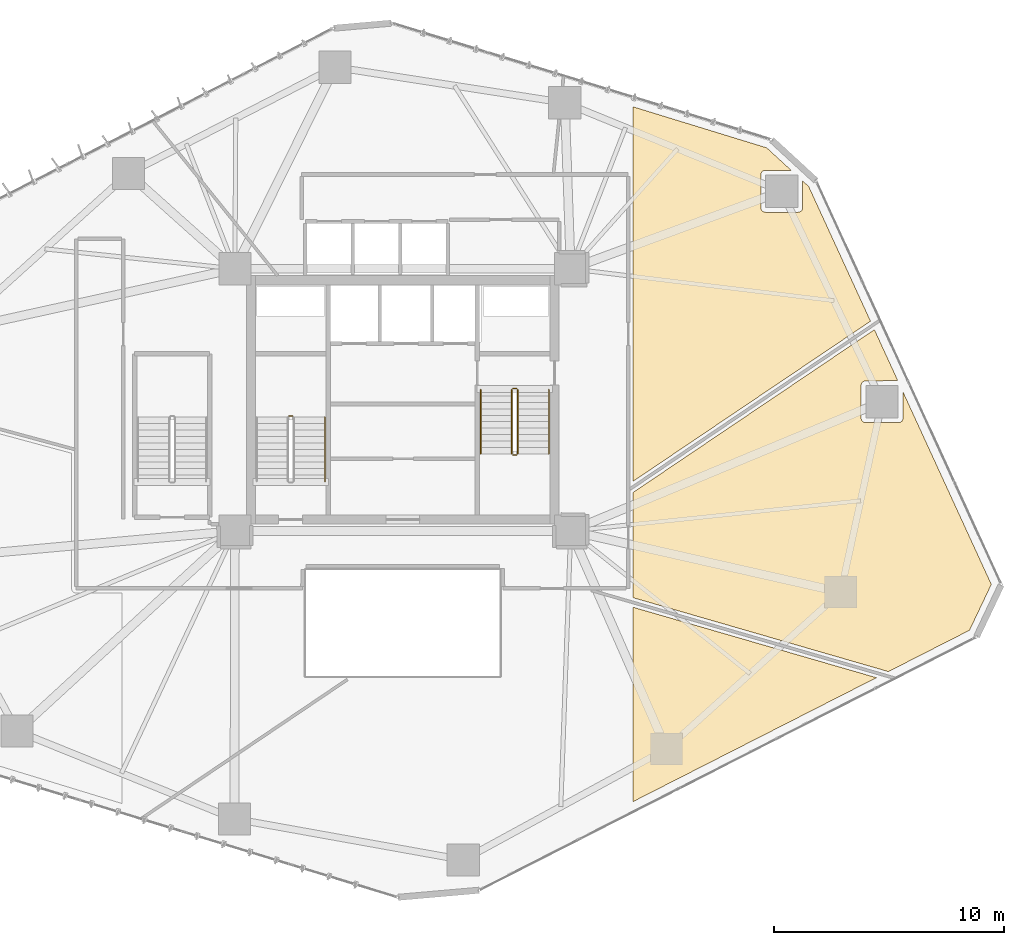
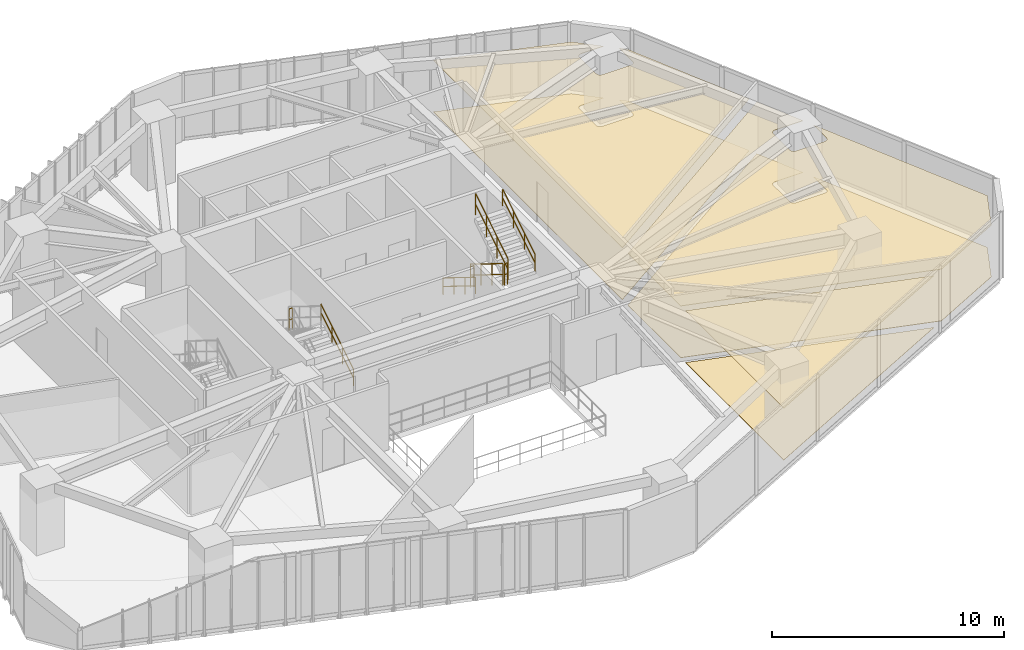
# One storey, part 23 of 24: 8 railings, 6 coverings.
"""IFC4 building model written with IfcOpenShell, lengths in metres."""

import ifcopenshell
import ifcopenshell.guid

model = None  # the IFC model being written
_history = None  # IfcOwnerHistory: only IFC2X3 demands one
_inside = {}  # id of a spatial element -> (the spatial element, [elements in it])
_under = {}  # id of a project, library or spatial element -> (it, [spatial elements below it])
_declared = {}  # id of a project -> (the project, [libraries it declares])
_typed = {}  # id of a type object -> (the type object, [elements of that type])
_made_of = {}  # id of a material, layer set ... -> (it, [elements and type objects made of it])


def new_model(schema):
    """Start an empty IFC model of exactly this schema.

    Asked for "IFC4X3", IfcOpenShell would pick the latest addendum, in which some entities
    have other attributes; the version numbers below select the first issue.
    IFC2X3 requires an IfcOwnerHistory on every rooted entity: one is made here for all.
    """
    global model, _history
    if schema == "IFC4X3":
        model = ifcopenshell.file(schema_version=(4, 3, 0, 0))
    else:
        model = ifcopenshell.file(schema=schema)
    _inside.clear()
    _under.clear()
    _declared.clear()
    _typed.clear()
    _made_of.clear()
    _history = None
    if model.schema == "IFC2X3":
        org = make("IfcOrganization", Name="unknown")
        user = make(
            "IfcPersonAndOrganization",
            ThePerson=make("IfcPerson", FamilyName="unknown"),
            TheOrganization=org,
        )
        app = make(
            "IfcApplication",
            ApplicationDeveloper=org,
            Version="unknown",
            ApplicationFullName="unknown",
            ApplicationIdentifier="unknown",
        )
        _history = make(
            "IfcOwnerHistory",
            OwningUser=user,
            OwningApplication=app,
            ChangeAction="ADDED",
            CreationDate=0,
        )
    return model


def make(cls, **values):
    """One entity of the class cls with the attributes given. An attribute that is None is left unset."""
    return model.create_entity(
        cls, **{name: value for name, value in values.items() if value is not None}
    )


def rooted(cls, **values):
    """An entity with a GlobalId (a new one), such as an element, a storey or a relation."""
    return make(cls, GlobalId=ifcopenshell.guid.new(), OwnerHistory=_history, **values)


def si_unit(unit_type, name, prefix=None):
    """IfcSIUnit, for example si_unit("LENGTHUNIT", "METRE", prefix="MILLI")."""
    return make("IfcSIUnit", UnitType=unit_type, Prefix=prefix, Name=name)


def assignment(units):
    """IfcUnitAssignment: the units of a project."""
    return None if units is None else make("IfcUnitAssignment", Units=units)


def point(xyz):
    """IfcCartesianPoint."""
    return None if xyz is None else make("IfcCartesianPoint", Coordinates=xyz)


def direction(xyz):
    """IfcDirection."""
    return None if xyz is None else make("IfcDirection", DirectionRatios=xyz)


def frame(location, z_axis=None, x_axis=None):
    """IfcAxis2Placement3D, a coordinate frame: its origin and axes. An axis left out is left unset."""
    return make(
        "IfcAxis2Placement3D",
        Location=point(location),
        Axis=direction(z_axis),
        RefDirection=direction(x_axis),
    )


def frame_2d(location, x_axis=None):
    """IfcAxis2Placement2D, a coordinate frame in the plane: its origin and x axis."""
    return make(
        "IfcAxis2Placement2D", Location=point(location), RefDirection=direction(x_axis)
    )


def origin():
    """The frame at (0, 0, 0) with its axes left unset."""
    return frame((0.0, 0.0, 0.0))


def origin_2d():
    """The frame at (0, 0) in the plane with its x axis left unset."""
    return frame_2d((0.0, 0.0))


def place(relative_to, where):
    """IfcLocalPlacement: puts the frame where relative to a parent placement (None: the world)."""
    return make(
        "IfcLocalPlacement", PlacementRelTo=relative_to, RelativePlacement=where
    )


def context(
    kind, dimensions, precision=None, world=None, true_north=None, identifier=None
):
    """IfcGeometricRepresentationContext, for example the 3D "Model" context."""
    return make(
        "IfcGeometricRepresentationContext",
        ContextIdentifier=identifier,
        ContextType=kind,
        CoordinateSpaceDimension=dimensions,
        Precision=precision,
        WorldCoordinateSystem=world,
        TrueNorth=true_north,
    )


def subcontext(parent, identifier, kind, view, scale=None):
    """IfcGeometricRepresentationSubContext, for example "Body" below "Model"."""
    return make(
        "IfcGeometricRepresentationSubContext",
        ContextIdentifier=identifier,
        ContextType=kind,
        ParentContext=parent,
        TargetScale=scale,
        TargetView=view,
    )


def project(units=None, contexts=None):
    """IfcProject with its units and contexts."""
    return rooted(
        "IfcProject",
        Name="project",
        RepresentationContexts=contexts,
        UnitsInContext=assignment(units),
    )


def spatial(cls, under=None, at=None, **own):
    """A site, building, storey or space (cls), placed at a placement, below another one or the project."""
    s = rooted(cls, ObjectPlacement=at, **own)
    if under is not None:
        _under.setdefault(under.id(), (under, []))[1].append(s)
    return s


def polyline(points):
    """IfcPolyline through the points."""
    return make("IfcPolyline", Points=[point(p) for p in points])


def profile(cls, at=None, kind="AREA", **sizes):
    """A parametric profile (cls). Its sizes go by their IFC names, for example OverallWidth=200.0."""
    return make(cls, ProfileType=kind, Position=at, **sizes)


def circle(**sizes):
    """IfcCircleProfileDef."""
    return profile("IfcCircleProfileDef", **sizes)


def outline(outer, holes=None, kind="AREA"):
    """IfcArbitraryClosedProfileDef: a profile drawn as a closed curve; with holes, ...WithVoids."""
    if holes is None:
        return make("IfcArbitraryClosedProfileDef", ProfileType=kind, OuterCurve=outer)
    return make(
        "IfcArbitraryProfileDefWithVoids",
        ProfileType=kind,
        OuterCurve=outer,
        InnerCurves=holes,
    )


def extrude(swept, where, along, depth):
    """IfcExtrudedAreaSolid: the profile swept, set in the frame where, extruded along a direction by depth."""
    return make(
        "IfcExtrudedAreaSolid",
        SweptArea=swept,
        Position=where,
        ExtrudedDirection=direction(along),
        Depth=depth,
    )


def shape(context_of_items, identifier, shape_type, items):
    """IfcShapeRepresentation: the items that make up one representation, for example the "Body"."""
    return make(
        "IfcShapeRepresentation",
        ContextOfItems=context_of_items,
        RepresentationIdentifier=identifier,
        RepresentationType=shape_type,
        Items=items,
    )


def material(Name=None, Category=None):
    """IfcMaterial."""
    return make("IfcMaterial", Name=Name, Category=Category)


def layer(
    of_material, thickness, ventilated=None, Name=None, Category=None, Priority=None
):
    """IfcMaterialLayer: one layer of a wall or slab, of a material (None: an air gap)."""
    return make(
        "IfcMaterialLayer",
        Material=of_material,
        LayerThickness=thickness,
        IsVentilated=ventilated,
        Name=Name,
        Category=Category,
        Priority=Priority,
    )


def layer_set(layers, Name=None):
    """IfcMaterialLayerSet."""
    return make("IfcMaterialLayerSet", MaterialLayers=layers, LayerSetName=Name)


def made_of(thing, what):
    """Note that an element or type object is made of a material, layer set ...; save() writes the relation."""
    if what is not None:
        _made_of.setdefault(what.id(), (what, []))[1].append(thing)
    return thing


def type_object(cls, material=None, **own):
    """A type object (cls), such as IfcWallType, which elements share."""
    return made_of(rooted(cls, **own), material)


def element(
    cls,
    number,
    at=None,
    inside=None,
    cuts=None,
    type_object=None,
    material=None,
    context=None,
    identifier="Body",
    shape_type=None,
    held_by="IfcProductDefinitionShape",
    body=None,
    shapes=None,
    **own,
):
    """One element of the class cls, such as IfcWall. Its Tag is "e" and its number.

    at: its placement. inside: the storey or other place that contains it. cuts: it is an
    opening in that element (IfcRelVoidsElement). A single representation is given by context,
    identifier, shape_type and body (its items); several are given by shapes. held_by: the class
    of the entity that holds the representations. save() writes the other relations.
    """
    e = rooted(cls, Tag="e%d" % number, ObjectPlacement=at, **own)
    if body is not None:
        shapes = [shape(context, identifier, shape_type, body)]
    if shapes is not None:
        e.Representation = make(held_by, Representations=shapes)
    if inside is not None:
        _inside.setdefault(inside.id(), (inside, []))[1].append(e)
    if cuts is not None:
        rooted(
            "IfcRelVoidsElement", RelatingBuildingElement=cuts, RelatedOpeningElement=e
        )
    if type_object is not None:
        _typed.setdefault(type_object.id(), (type_object, []))[1].append(e)
    return made_of(e, material)


def aggregate(whole, parts):
    """IfcRelAggregates: a whole, such as a stair, and the parts it consists of."""
    return rooted("IfcRelAggregates", RelatingObject=whole, RelatedObjects=parts)


def save(model, path):
    """Write the relations noted so far, then the file.

    IfcRelAggregates (storeys below a building ...), IfcRelContainedInSpatialStructure (elements
    in a storey), IfcRelDefinesByType, IfcRelAssociatesMaterial and IfcRelDeclares: one each for
    every whole, place, type object, material and project.
    """
    for whole, parts in _under.values():
        aggregate(whole, parts)
    for where, things in _inside.values():
        rooted(
            "IfcRelContainedInSpatialStructure",
            RelatedElements=things,
            RelatingStructure=where,
        )
    for kind, things in _typed.values():
        rooted("IfcRelDefinesByType", RelatedObjects=things, RelatingType=kind)
    for what, things in _made_of.values():
        rooted("IfcRelAssociatesMaterial", RelatedObjects=things, RelatingMaterial=what)
    for by, libraries in _declared.values():
        rooted("IfcRelDeclares", RelatingContext=by, RelatedDefinitions=libraries)
    model.write(path)


model = new_model("IFC4")

# Units and contexts
model_context = context("Model", 3, precision=1e-05, world=origin(), true_north=direction((0.0, 1.0)))
body_context = subcontext(model_context, "Body", "Model", "MODEL_VIEW")
ifc_project = project(units=[si_unit("LENGTHUNIT", "METRE"), si_unit("AREAUNIT", "SQUARE_METRE"), si_unit("VOLUMEUNIT", "CUBIC_METRE"), si_unit("PLANEANGLEUNIT", "RADIAN"), si_unit("MASSUNIT", "GRAM", prefix="KILO")], contexts=[model_context])

# Site, building, storey
site_placement = place(None, origin())
site = spatial("IfcSite", under=ifc_project, at=site_placement, CompositionType="ELEMENT")
building_placement = place(site_placement, origin())
building = spatial("IfcBuilding", under=site, at=building_placement, Name="Talar Marvaseh", CompositionType="ELEMENT")
storey_placement = place(building_placement, frame((0.0, 0.0, 39.199951171875)))
storey = spatial("IfcBuildingStorey", under=building, at=storey_placement, Name="L09", CompositionType="ELEMENT", Elevation=39.199951171875)

# Railings
ifc_material_1 = material(Name="Stainless Steel Grade 316", Category="steel")
railing_type_1 = type_object("IfcRailingType", Name="Brushed Stainless Wall Pitch Handrail 900", PredefinedType="HANDRAIL", material=ifc_material_1)
railing_1_placement = place(storey_placement, frame((22.610107421875, 27.64990234375, 0.1728515625)))
element("IfcRailing", 1, at=railing_1_placement, inside=storey, type_object=railing_type_1, Name="L09 ST-1 stair handrail 1", PredefinedType="HANDRAIL", context=body_context, shape_type="SweptSolid", body=[
    extrude(circle(Radius=0.02392578125, at=origin_2d()), frame((0.0, 0.0, 0.8759765625), z_axis=(0.0, 0.851089632645, 0.525020415988), x_axis=(-1.0, 0.0, 0.0)), (0.0, 0.0, 1.0), 3.2900390625),
    extrude(circle(Radius=0.02392578125, at=origin_2d()), frame((0.0, 0.0, 0.42578125), z_axis=(0.0, 0.851089632645, 0.525020415988), x_axis=(-1.0, 0.0, 0.0)), (0.0, 0.0, 1.0), 3.2900390625),
    extrude(circle(Radius=0.02099609375, at=origin_2d()), origin(), (0.0, 0.0, 1.0), 0.851806640625),
    extrude(circle(Radius=0.02099609375, at=origin_2d()), frame((0.0, 0.933349609375, 0.57568359375)), (0.0, 0.0, 1.0), 0.851806640625),
    extrude(circle(Radius=0.02099609375, at=origin_2d()), frame((0.0, 1.86669921875, 1.151611328125)), (0.0, 0.0, 1.0), 0.851806640625),
    extrude(circle(Radius=0.02099609375, at=origin_2d()), frame((0.0, 2.800048828125, 1.727294921875)), (0.0, 0.0, 1.0), 0.851806640625),
])
railing_2_placement = place(storey_placement, frame((29.389892578125, 31.64990234375, 0.1728515625)))
element("IfcRailing", 2, at=railing_2_placement, inside=storey, type_object=railing_type_1, Name="L09 ST-2 stair handrail 1", PredefinedType="HANDRAIL", context=body_context, shape_type="SweptSolid", body=[
    extrude(circle(Radius=0.02392578125, at=origin_2d()), frame((0.0, 0.0, 0.8759765625), z_axis=(0.0, -0.851069175582, 0.525053576669), x_axis=(1.0, 0.0, 0.0)), (0.0, 0.0, 1.0), 3.289794921875),
    extrude(circle(Radius=0.02392578125, at=origin_2d()), frame((0.0, 0.0, 0.42578125), z_axis=(0.0, -0.851069175582, 0.525053576669), x_axis=(1.0, 0.0, 0.0)), (0.0, 0.0, 1.0), 3.289794921875),
    extrude(circle(Radius=0.02099609375, at=origin_2d()), origin(), (0.0, 0.0, 1.0), 0.851806640625),
    extrude(circle(Radius=0.02099609375, at=origin_2d()), frame((0.0, -0.933349609375, 0.57568359375)), (0.0, 0.0, 1.0), 0.851806640625),
    extrude(circle(Radius=0.02099609375, at=origin_2d()), frame((0.0, -1.866455078125, 1.151611328125)), (0.0, 0.0, 1.0), 0.851806640625),
    extrude(circle(Radius=0.02099609375, at=origin_2d()), frame((0.0, -2.7998046875, 1.727294921875)), (0.0, 0.0, 1.0), 0.851806640625),
])
railing_3_placement = place(storey_placement, frame((32.35009765625, 28.85009765625, 2.07275390625)))
element("IfcRailing", 3, at=railing_3_placement, inside=storey, type_object=railing_type_1, Name="L09 ST-2 stair handrail 2", PredefinedType="HANDRAIL", context=body_context, shape_type="SweptSolid", body=[
    extrude(circle(Radius=0.02392578125, at=origin_2d()), frame((0.0, 0.0, 0.8759765625), z_axis=(0.0, 0.851069175582, 0.525053576669), x_axis=(-1.0, 0.0, 0.0)), (0.0, 0.0, 1.0), 3.289794921875),
    extrude(circle(Radius=0.02392578125, at=origin_2d()), frame((0.0, 0.0, 0.42578125), z_axis=(0.0, 0.851069175582, 0.525053576669), x_axis=(-1.0, 0.0, 0.0)), (0.0, 0.0, 1.0), 3.289794921875),
    extrude(circle(Radius=0.02099609375, at=origin_2d()), origin(), (0.0, 0.0, 1.0), 0.851806640625),
    extrude(circle(Radius=0.02099609375, at=origin_2d()), frame((0.0, 0.933349609375, 0.57568359375)), (0.0, 0.0, 1.0), 0.851806640625),
    extrude(circle(Radius=0.02099609375, at=origin_2d()), frame((0.0, 1.866455078125, 1.151611328125)), (0.0, 0.0, 1.0), 0.851806640625),
    extrude(circle(Radius=0.02099609375, at=origin_2d()), frame((0.0, 2.7998046875, 1.727294921875)), (0.0, 0.0, 1.0), 0.851806640625),
])
railing_type_2 = type_object("IfcRailingType", Name="Painted Steel Core Stair Well Guardrail 1150", PredefinedType="GUARDRAIL", material=ifc_material_1)
railing_4_placement = place(storey_placement, frame((21.2099609375, 30.5, 1.900146484375)))
element("IfcRailing", 4, at=railing_4_placement, inside=storey, type_object=railing_type_2, Name="L09 ST-1 stair guard 2", PredefinedType="GUARDRAIL", context=body_context, shape_type="SweptSolid", body=[
    extrude(circle(Radius=0.02392578125, at=origin_2d()), frame((0.0, 0.0, 1.1259765625), z_axis=(-1.0, 0.0, 0.0), x_axis=(0.0, -1.0, 0.0)), (0.0, 0.0, 1.0), 0.159912109375),
    extrude(circle(Radius=0.02392578125, at=origin_2d()), frame((0.0, 0.0, 0.55078125), z_axis=(-1.0, 0.0, 0.0), x_axis=(0.0, -1.0, 0.0)), (0.0, 0.0, 1.0), 0.159912109375),
    extrude(circle(Radius=0.02099609375, at=origin_2d()), origin(), (0.0, 0.0, 1.0), 1.101806640625),
    extrude(circle(Radius=0.02099609375, at=origin_2d()), frame((-0.159912109375, 0.0, 0.0)), (0.0, 0.0, 1.0), 1.101806640625),
])
railing_5_placement = place(storey_placement, frame((30.739990234375, 31.64990234375, 0.1728515625)))
element("IfcRailing", 5, at=railing_5_placement, inside=storey, type_object=railing_type_2, Name="L09 ST-2 stair guard 1", PredefinedType="GUARDRAIL", context=body_context, shape_type="SweptSolid", body=[
    extrude(circle(Radius=0.02392578125, at=origin_2d()), frame((0.0, 0.0, 1.1259765625), z_axis=(0.0, -0.851069175582, 0.525053576669), x_axis=(1.0, 0.0, 0.0)), (0.0, 0.0, 1.0), 3.289794921875),
    extrude(circle(Radius=0.02392578125, at=origin_2d()), frame((0.0, 0.0, 0.55078125), z_axis=(0.0, -0.851069175582, 0.525053576669), x_axis=(1.0, 0.0, 0.0)), (0.0, 0.0, 1.0), 3.289794921875),
    extrude(circle(Radius=0.02099609375, at=origin_2d()), origin(), (0.0, 0.0, 1.0), 1.101806640625),
    extrude(circle(Radius=0.02099609375, at=origin_2d()), frame((0.0, -0.933349609375, 0.57568359375)), (0.0, 0.0, 1.0), 1.101806640625),
    extrude(circle(Radius=0.02099609375, at=origin_2d()), frame((0.0, -1.866455078125, 1.151611328125)), (0.0, 0.0, 1.0), 1.101806640625),
    extrude(circle(Radius=0.02099609375, at=origin_2d()), frame((0.0, -2.7998046875, 1.727294921875)), (0.0, 0.0, 1.0), 1.101806640625),
])
railing_6_placement = place(storey_placement, frame((30.7900390625, 28.800048828125, 1.900146484375)))
element("IfcRailing", 6, at=railing_6_placement, inside=storey, type_object=railing_type_2, Name="L09 ST-2 stair guard 2", PredefinedType="GUARDRAIL", context=body_context, shape_type="SweptSolid", body=[
    extrude(circle(Radius=0.02392578125, at=origin_2d()), frame((0.0, 0.0, 1.1259765625), z_axis=(1.0, 0.0, 0.0), x_axis=(0.0, 1.0, 0.0)), (0.0, 0.0, 1.0), 0.159912109375),
    extrude(circle(Radius=0.02392578125, at=origin_2d()), frame((0.0, 0.0, 0.55078125), z_axis=(1.0, 0.0, 0.0), x_axis=(0.0, 1.0, 0.0)), (0.0, 0.0, 1.0), 0.159912109375),
    extrude(circle(Radius=0.02099609375, at=origin_2d()), origin(), (0.0, 0.0, 1.0), 1.101806640625),
    extrude(circle(Radius=0.02099609375, at=origin_2d()), frame((0.159912109375, 0.0, 0.0)), (0.0, 0.0, 1.0), 1.101806640625),
])
railing_7_placement = place(storey_placement, frame((31.0, 28.85009765625, 2.07275390625)))
element("IfcRailing", 7, at=railing_7_placement, inside=storey, type_object=railing_type_2, Name="L09 ST-2 stair guard 3", PredefinedType="GUARDRAIL", context=body_context, shape_type="SweptSolid", body=[
    extrude(circle(Radius=0.02392578125, at=origin_2d()), frame((0.0, 0.0, 1.1259765625), z_axis=(0.0, 0.851069175582, 0.525053576669), x_axis=(-1.0, 0.0, 0.0)), (0.0, 0.0, 1.0), 3.289794921875),
    extrude(circle(Radius=0.02392578125, at=origin_2d()), frame((0.0, 0.0, 0.55078125), z_axis=(0.0, 0.851069175582, 0.525053576669), x_axis=(-1.0, 0.0, 0.0)), (0.0, 0.0, 1.0), 3.289794921875),
    extrude(circle(Radius=0.02099609375, at=origin_2d()), origin(), (0.0, 0.0, 1.0), 1.101806640625),
    extrude(circle(Radius=0.02099609375, at=origin_2d()), frame((0.0, 0.933349609375, 0.57568359375)), (0.0, 0.0, 1.0), 1.101806640625),
    extrude(circle(Radius=0.02099609375, at=origin_2d()), frame((0.0, 1.866455078125, 1.151611328125)), (0.0, 0.0, 1.0), 1.101806640625),
    extrude(circle(Radius=0.02099609375, at=origin_2d()), frame((0.0, 2.7998046875, 1.727294921875)), (0.0, 0.0, 1.0), 1.101806640625),
])
railing_8_placement = place(storey_placement, frame((30.7900390625, 31.699951171875, 0.0)))
element("IfcRailing", 8, at=railing_8_placement, inside=storey, type_object=railing_type_2, Name="L09 ST-2 stair guard 4", PredefinedType="GUARDRAIL", context=body_context, shape_type="SweptSolid", body=[
    extrude(circle(Radius=0.02392578125, at=origin_2d()), frame((0.0, 0.0, 1.1259765625), z_axis=(1.0, 0.0, 0.0), x_axis=(0.0, 1.0, 0.0)), (0.0, 0.0, 1.0), 0.159912109375),
    extrude(circle(Radius=0.02392578125, at=origin_2d()), frame((0.0, 0.0, 0.55078125), z_axis=(1.0, 0.0, 0.0), x_axis=(0.0, 1.0, 0.0)), (0.0, 0.0, 1.0), 0.159912109375),
    extrude(circle(Radius=0.02099609375, at=origin_2d()), origin(), (0.0, 0.0, 1.0), 1.101806640625),
    extrude(circle(Radius=0.02099609375, at=origin_2d()), frame((0.159912109375, 0.0, 0.0)), (0.0, 0.0, 1.0), 1.101806640625),
])

# Coverings
ifc_material_2 = material(Name="Mineral Fibre Acoustic Ceiling")
ifc_layer_1 = layer(ifc_material_2, 0.02490234375)
ifc_layer_set_1 = layer_set([ifc_layer_1], Name="Mineral Fibre Acoustic Ceiling")
covering_type_1 = type_object("IfcCoveringType", Name="Perforated Mineral Fibre Acoustic Suspended Ceiling", PredefinedType="CEILING", material=ifc_layer_set_1)
covering_1_placement = place(storey_placement, frame((0.0, 0.0, 2.719970703125)))
element("IfcCovering", 9, at=covering_1_placement, inside=storey, type_object=covering_type_1, Name="L09 Seminar Room Acoustic Ceiling", PredefinedType="CEILING", context=body_context, shape_type="SweptSolid", body=[
    extrude(outline(polyline([(36.0, 13.72412109375), (36.0, 22.1865234375), (46.593994140625, 19.119873046875), (36.0, 13.72412109375)])), origin(), (0.0, 0.0, 1.0), 0.025146484375),
])
covering_2_placement = place(storey_placement, frame((0.0, 0.0, 2.719970703125)))
element("IfcCovering", 10, at=covering_2_placement, inside=storey, type_object=covering_type_1, Name="L09 Main Reading Room Acoustic Ceiling", PredefinedType="CEILING", context=body_context, shape_type="SweptSolid", body=[
    extrude(outline(polyline([(46.110107421875, 32.028564453125), (46.0908203125, 32.025634765625), (46.072021484375, 32.020751953125), (46.053466796875, 32.01416015625), (46.03564453125, 32.005859375), (46.01904296875, 31.99560546875), (46.00341796875, 31.98388671875), (45.98876953125, 31.970703125), (45.9755859375, 31.956298828125), (45.964111328125, 31.9404296875), (45.953857421875, 31.923583984375), (45.945556640625, 31.906005859375), (45.93896484375, 31.887451171875), (45.93408203125, 31.868408203125), (45.931396484375, 31.84912109375), (45.930419921875, 31.82958984375), (45.930419921875, 30.408447265625), (45.931396484375, 30.388916015625), (45.93408203125, 30.369384765625), (45.93896484375, 30.350341796875), (45.945556640625, 30.331787109375), (45.9541015625, 30.314208984375), (45.964111328125, 30.29736328125), (45.975830078125, 30.281494140625), (45.989013671875, 30.26708984375), (46.00341796875, 30.25390625), (46.019287109375, 30.2421875), (46.0361328125, 30.23193359375), (46.053955078125, 30.2236328125), (46.072265625, 30.217041015625), (46.09130859375, 30.212158203125), (46.11083984375, 30.20947265625), (46.13037109375, 30.20849609375), (47.551513671875, 30.20849609375), (47.5712890625, 30.20947265625), (47.590576171875, 30.212158203125), (47.609619140625, 30.217041015625), (47.6279296875, 30.2236328125), (47.645751953125, 30.23193359375), (47.66259765625, 30.241943359375), (47.67822265625, 30.253662109375), (47.69287109375, 30.266845703125), (47.7060546875, 30.28125), (47.7177734375, 30.297119140625), (47.727783203125, 30.313720703125), (47.736083984375, 30.331298828125), (47.742919921875, 30.349853515625), (47.747802734375, 30.368896484375), (47.75048828125, 30.38818359375), (47.751708984375, 30.40771484375), (47.7548828125, 31.533935546875), (51.590576171875, 23.177001953125), (50.641845703125, 21.181396484375), (47.115234375, 19.38525390625), (36.0, 22.602783203125), (36.0, 23.0), (36.0, 27.166259765625), (46.5068359375, 34.253173828125), (47.525390625, 32.033935546875), (46.1298828125, 32.029541015625), (46.110107421875, 32.028564453125)])), origin(), (0.0, 0.0, 1.0), 0.025146484375),
])
covering_3_placement = place(storey_placement, frame((0.0, 0.0, 2.719970703125)))
element("IfcCovering", 11, at=covering_3_placement, inside=storey, type_object=covering_type_1, Name="L09 Colloquium Boardroom Acoustic Ceiling", PredefinedType="CEILING", context=body_context, shape_type="SweptSolid", body=[
    extrude(outline(polyline([(42.885498046875, 41.18310546875), (41.765869140625, 41.1796875), (41.74609375, 41.1787109375), (41.726806640625, 41.175537109375), (41.7080078125, 41.1708984375), (41.689453125, 41.164306640625), (41.671630859375, 41.15576171875), (41.655029296875, 41.145751953125), (41.639404296875, 41.134033203125), (41.624755859375, 41.120849609375), (41.611572265625, 41.106201171875), (41.60009765625, 41.090576171875), (41.58984375, 41.07373046875), (41.58154296875, 41.055908203125), (41.574951171875, 41.03759765625), (41.5703125, 41.0185546875), (41.5673828125, 40.999267578125), (41.56640625, 40.9794921875), (41.56640625, 39.558349609375), (41.5673828125, 39.538818359375), (41.5703125, 39.519287109375), (41.574951171875, 39.500244140625), (41.58154296875, 39.48193359375), (41.590087890625, 39.464111328125), (41.60009765625, 39.447265625), (41.61181640625, 39.431396484375), (41.625, 39.4169921875), (41.639404296875, 39.40380859375), (41.6552734375, 39.39208984375), (41.672119140625, 39.382080078125), (41.68994140625, 39.37353515625), (41.708251953125, 39.366943359375), (41.727294921875, 39.3623046875), (41.746826171875, 39.359375), (41.766357421875, 39.3583984375), (43.1875, 39.3583984375), (43.207275390625, 39.359375), (43.2265625, 39.3623046875), (43.24560546875, 39.366943359375), (43.263916015625, 39.37353515625), (43.28173828125, 39.3818359375), (43.298583984375, 39.39208984375), (43.314208984375, 39.403564453125), (43.328857421875, 39.416748046875), (43.342041015625, 39.431396484375), (43.353759765625, 39.447021484375), (43.36376953125, 39.4638671875), (43.372314453125, 39.4814453125), (43.37890625, 39.5), (43.3837890625, 39.518798828125), (43.38671875, 39.5380859375), (43.3876953125, 39.557861328125), (43.39111328125, 40.7177734375), (43.648681640625, 40.48095703125), (46.337890625, 34.62158203125), (36.0, 27.648681640625), (36.0, 41.0), (36.0, 43.947509765625), (41.825439453125, 42.158935546875), (42.885498046875, 41.18310546875)])), origin(), (0.0, 0.0, 1.0), 0.025146484375),
])
ifc_material_3 = material(Name="Porcelain Stoneware Tile", Category="masonry")
ifc_layer_2 = layer(ifc_material_3, 0.02001953125)
ifc_layer_set_2 = layer_set([ifc_layer_2], Name="Porcelain Stoneware Tile")
covering_type_2 = type_object("IfcCoveringType", Name="Polished Porcelain Stoneware Gallery Flooring", PredefinedType="FLOORING", material=ifc_layer_set_2)
covering_4_placement = place(storey_placement, origin())
element("IfcCovering", 12, at=covering_4_placement, inside=storey, type_object=covering_type_2, Name="L09 Seminar Room Flooring", PredefinedType="FLOORING", context=body_context, shape_type="SweptSolid", body=[
    extrude(outline(polyline([(36.0, 13.72412109375), (36.0, 22.1865234375), (46.593994140625, 19.119873046875), (36.0, 13.72412109375)])), origin(), (0.0, 0.0, 1.0), 0.02001953125),
])
covering_5_placement = place(storey_placement, origin())
element("IfcCovering", 13, at=covering_5_placement, inside=storey, type_object=covering_type_2, Name="L09 Main Reading Room Flooring", PredefinedType="FLOORING", context=body_context, shape_type="SweptSolid", body=[
    extrude(outline(polyline([(46.110107421875, 32.028564453125), (46.0908203125, 32.025634765625), (46.072021484375, 32.020751953125), (46.053466796875, 32.01416015625), (46.03564453125, 32.005859375), (46.01904296875, 31.99560546875), (46.00341796875, 31.98388671875), (45.98876953125, 31.970703125), (45.9755859375, 31.956298828125), (45.964111328125, 31.9404296875), (45.953857421875, 31.923583984375), (45.945556640625, 31.906005859375), (45.93896484375, 31.887451171875), (45.93408203125, 31.868408203125), (45.931396484375, 31.84912109375), (45.930419921875, 31.82958984375), (45.930419921875, 30.408447265625), (45.931396484375, 30.388916015625), (45.93408203125, 30.369384765625), (45.93896484375, 30.350341796875), (45.945556640625, 30.331787109375), (45.9541015625, 30.314208984375), (45.964111328125, 30.29736328125), (45.975830078125, 30.281494140625), (45.989013671875, 30.26708984375), (46.00341796875, 30.25390625), (46.019287109375, 30.2421875), (46.0361328125, 30.23193359375), (46.053955078125, 30.2236328125), (46.072265625, 30.217041015625), (46.09130859375, 30.212158203125), (46.11083984375, 30.20947265625), (46.13037109375, 30.20849609375), (47.551513671875, 30.20849609375), (47.5712890625, 30.20947265625), (47.590576171875, 30.212158203125), (47.609619140625, 30.217041015625), (47.6279296875, 30.2236328125), (47.645751953125, 30.23193359375), (47.66259765625, 30.241943359375), (47.67822265625, 30.253662109375), (47.69287109375, 30.266845703125), (47.7060546875, 30.28125), (47.7177734375, 30.297119140625), (47.727783203125, 30.313720703125), (47.736083984375, 30.331298828125), (47.742919921875, 30.349853515625), (47.747802734375, 30.368896484375), (47.75048828125, 30.38818359375), (47.751708984375, 30.40771484375), (47.7548828125, 31.533935546875), (51.590576171875, 23.177001953125), (50.641845703125, 21.181396484375), (47.115234375, 19.38525390625), (36.0, 22.602783203125), (36.0, 23.0), (36.0, 27.166259765625), (46.5068359375, 34.253173828125), (47.525390625, 32.033935546875), (46.1298828125, 32.029541015625), (46.110107421875, 32.028564453125)])), origin(), (0.0, 0.0, 1.0), 0.02001953125),
])
covering_6_placement = place(storey_placement, origin())
element("IfcCovering", 14, at=covering_6_placement, inside=storey, type_object=covering_type_2, Name="L09 Colloquium Boardroom Flooring", PredefinedType="FLOORING", context=body_context, shape_type="SweptSolid", body=[
    extrude(outline(polyline([(42.885498046875, 41.18310546875), (41.765869140625, 41.1796875), (41.74609375, 41.1787109375), (41.726806640625, 41.175537109375), (41.7080078125, 41.1708984375), (41.689453125, 41.164306640625), (41.671630859375, 41.15576171875), (41.655029296875, 41.145751953125), (41.639404296875, 41.134033203125), (41.624755859375, 41.120849609375), (41.611572265625, 41.106201171875), (41.60009765625, 41.090576171875), (41.58984375, 41.07373046875), (41.58154296875, 41.055908203125), (41.574951171875, 41.03759765625), (41.5703125, 41.0185546875), (41.5673828125, 40.999267578125), (41.56640625, 40.9794921875), (41.56640625, 39.558349609375), (41.5673828125, 39.538818359375), (41.5703125, 39.519287109375), (41.574951171875, 39.500244140625), (41.58154296875, 39.48193359375), (41.590087890625, 39.464111328125), (41.60009765625, 39.447265625), (41.61181640625, 39.431396484375), (41.625, 39.4169921875), (41.639404296875, 39.40380859375), (41.6552734375, 39.39208984375), (41.672119140625, 39.382080078125), (41.68994140625, 39.37353515625), (41.708251953125, 39.366943359375), (41.727294921875, 39.3623046875), (41.746826171875, 39.359375), (41.766357421875, 39.3583984375), (43.1875, 39.3583984375), (43.207275390625, 39.359375), (43.2265625, 39.3623046875), (43.24560546875, 39.366943359375), (43.263916015625, 39.37353515625), (43.28173828125, 39.3818359375), (43.298583984375, 39.39208984375), (43.314208984375, 39.403564453125), (43.328857421875, 39.416748046875), (43.342041015625, 39.431396484375), (43.353759765625, 39.447021484375), (43.36376953125, 39.4638671875), (43.372314453125, 39.4814453125), (43.37890625, 39.5), (43.3837890625, 39.518798828125), (43.38671875, 39.5380859375), (43.3876953125, 39.557861328125), (43.39111328125, 40.7177734375), (43.648681640625, 40.48095703125), (46.337890625, 34.62158203125), (36.0, 27.648681640625), (36.0, 41.0), (36.0, 43.947509765625), (41.825439453125, 42.158935546875), (42.885498046875, 41.18310546875)])), origin(), (0.0, 0.0, 1.0), 0.02001953125),
])

save(model, "model.ifc")
